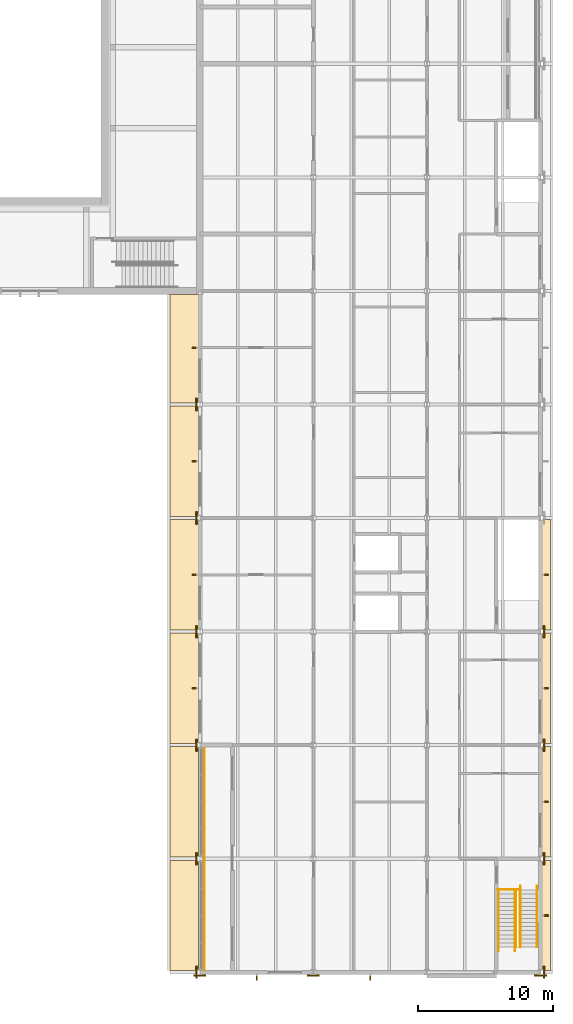
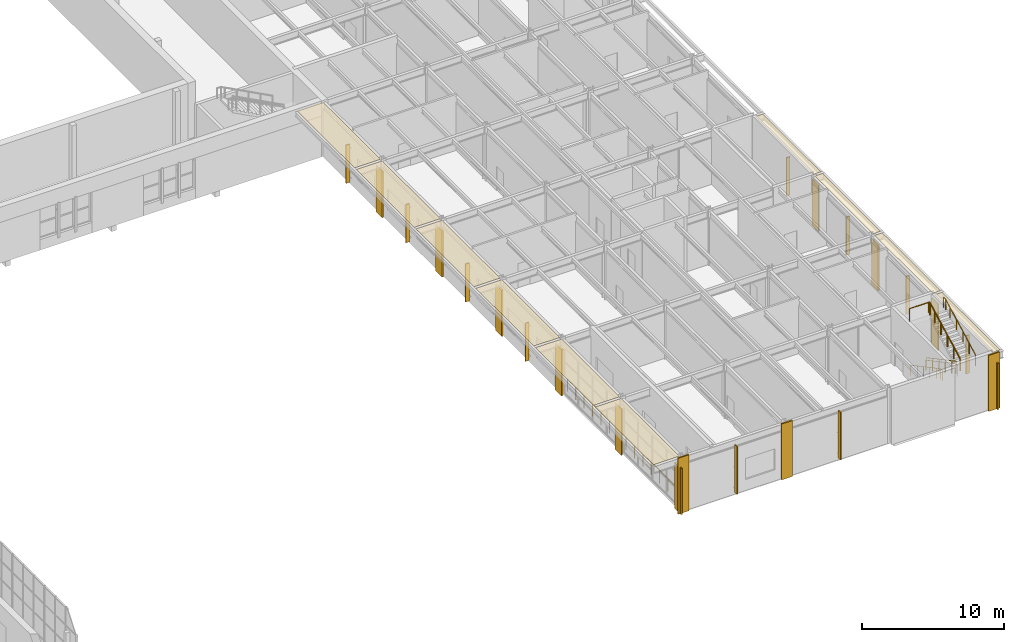
# One storey, part 105 of 116: 23 coverings, 10 shading devices, 8 railings.
"""IFC4 building model written with IfcOpenShell, lengths in metres."""

from ifc_helpers import new_model, si_unit, direction, frame, origin, origin_2d, place, context, subcontext, project, spatial, polyline, rectangle, circle, outline, extrude, material, layer, layer_set, type_object, element, save


model = new_model("IFC4")

# Units and contexts
model_context = context("Model", 3, precision=1e-05, world=origin(), true_north=direction((0.0, 1.0)))
body_context = subcontext(model_context, "Body", "Model", "MODEL_VIEW")
ifc_project = project(units=[si_unit("LENGTHUNIT", "METRE"), si_unit("AREAUNIT", "SQUARE_METRE"), si_unit("VOLUMEUNIT", "CUBIC_METRE"), si_unit("PLANEANGLEUNIT", "RADIAN"), si_unit("MASSUNIT", "GRAM", prefix="KILO")], contexts=[model_context])

# Site, building, storey
site_placement = place(None, origin())
site = spatial("IfcSite", under=ifc_project, at=site_placement, CompositionType="ELEMENT")
building_placement = place(site_placement, origin())
building = spatial("IfcBuilding", under=site, at=building_placement, Name="Ljudholm Concert House", CompositionType="ELEMENT")
storey_placement = place(building_placement, frame((0.0, 0.0, 10.199951171875)))
storey = spatial("IfcBuildingStorey", under=building, at=storey_placement, Name="L02", CompositionType="ELEMENT", Elevation=10.199951171875)

# Coverings
ifc_material_1 = material(Name="Aluminium extrusion with timber-grain PVDF finish", Category="aluminium")
ifc_layer_1 = layer(ifc_material_1, 0.030029296875)
ifc_layer_set_1 = layer_set([ifc_layer_1], Name="Aluminium extrusion with timber-grain PVDF finish")
covering_type_1 = type_object("IfcCoveringType", Name="ALUMINIUM EXTRUSION WITH TIMBER-GRAIN PVDF FINISH CEILING 30", PredefinedType="CEILING", material=ifc_layer_set_1)
covering_1_placement = place(storey_placement, frame((0.0, 0.0, 4.590087890625)))
element("IfcCovering", 1, at=covering_1_placement, inside=storey, type_object=covering_type_1, Name="Eave soffit", PredefinedType="CEILING", context=body_context, shape_type="SweptSolid", body=[
    extrude(outline(polyline([(94.177734375, 4.114501953125), (96.29541015625, 4.114501953125), (96.29541015625, 12.285400390625), (94.177734375, 12.285400390625), (94.177734375, 4.114501953125)])), origin(), (0.0, 0.0, 1.0), 0.030029296875),
])
covering_2_placement = place(storey_placement, frame((0.0, 0.0, 4.590087890625)))
element("IfcCovering", 2, at=covering_2_placement, inside=storey, type_object=covering_type_1, Name="Eave soffit", PredefinedType="CEILING", context=body_context, shape_type="SweptSolid", body=[
    extrude(outline(polyline([(94.177734375, 12.5146484375), (96.29541015625, 12.5146484375), (96.29541015625, 20.685546875), (94.177734375, 20.685546875), (94.177734375, 12.5146484375)])), origin(), (0.0, 0.0, 1.0), 0.030029296875),
])
covering_3_placement = place(storey_placement, frame((0.0, 0.0, 4.590087890625)))
element("IfcCovering", 3, at=covering_3_placement, inside=storey, type_object=covering_type_1, Name="Eave soffit", PredefinedType="CEILING", context=body_context, shape_type="SweptSolid", body=[
    extrude(outline(polyline([(94.177734375, 20.91455078125), (96.29541015625, 20.91455078125), (96.29541015625, 29.08544921875), (94.177734375, 29.08544921875), (94.177734375, 20.91455078125)])), origin(), (0.0, 0.0, 1.0), 0.030029296875),
])
covering_4_placement = place(storey_placement, frame((0.0, 0.0, 4.590087890625)))
element("IfcCovering", 4, at=covering_4_placement, inside=storey, type_object=covering_type_1, Name="Eave soffit", PredefinedType="CEILING", context=body_context, shape_type="SweptSolid", body=[
    extrude(outline(polyline([(94.177734375, 29.314453125), (96.29541015625, 29.314453125), (96.29541015625, 37.4853515625), (94.177734375, 37.4853515625), (94.177734375, 29.314453125)])), origin(), (0.0, 0.0, 1.0), 0.030029296875),
])
covering_5_placement = place(storey_placement, frame((0.0, 0.0, 4.590087890625)))
element("IfcCovering", 5, at=covering_5_placement, inside=storey, type_object=covering_type_1, Name="Eave soffit", PredefinedType="CEILING", context=body_context, shape_type="SweptSolid", body=[
    extrude(outline(polyline([(94.177734375, 37.714599609375), (96.29541015625, 37.714599609375), (96.29541015625, 45.885498046875), (94.177734375, 45.885498046875), (94.177734375, 37.714599609375)])), origin(), (0.0, 0.0, 1.0), 0.030029296875),
])
covering_6_placement = place(storey_placement, frame((0.0, 0.0, 4.590087890625)))
element("IfcCovering", 6, at=covering_6_placement, inside=storey, type_object=covering_type_1, Name="Eave soffit", PredefinedType="CEILING", context=body_context, shape_type="SweptSolid", body=[
    extrude(outline(polyline([(94.177734375, 46.114501953125), (96.29541015625, 46.114501953125), (96.29541015625, 54.14990234375), (94.177734375, 54.14990234375), (94.177734375, 46.114501953125)])), origin(), (0.0, 0.0, 1.0), 0.030029296875),
])
covering_7_placement = place(storey_placement, frame((0.0, 0.0, 4.590087890625)))
element("IfcCovering", 7, at=covering_7_placement, inside=storey, type_object=covering_type_1, Name="Eave soffit", PredefinedType="CEILING", context=body_context, shape_type="SweptSolid", body=[
    extrude(outline(polyline([(121.70458984375, 4.114501953125), (122.322265625, 4.114501953125), (122.322265625, 12.285400390625), (121.70458984375, 12.285400390625), (121.70458984375, 4.114501953125)])), origin(), (0.0, 0.0, 1.0), 0.030029296875),
])
covering_8_placement = place(storey_placement, frame((0.0, 0.0, 4.590087890625)))
element("IfcCovering", 8, at=covering_8_placement, inside=storey, type_object=covering_type_1, Name="Eave soffit", PredefinedType="CEILING", context=body_context, shape_type="SweptSolid", body=[
    extrude(outline(polyline([(121.70458984375, 12.5146484375), (122.322265625, 12.5146484375), (122.322265625, 20.685546875), (121.70458984375, 20.685546875), (121.70458984375, 12.5146484375)])), origin(), (0.0, 0.0, 1.0), 0.030029296875),
])
covering_9_placement = place(storey_placement, frame((0.0, 0.0, 4.590087890625)))
element("IfcCovering", 9, at=covering_9_placement, inside=storey, type_object=covering_type_1, Name="Eave soffit", PredefinedType="CEILING", context=body_context, shape_type="SweptSolid", body=[
    extrude(outline(polyline([(121.70458984375, 20.91455078125), (122.322265625, 20.91455078125), (122.322265625, 29.08544921875), (121.70458984375, 29.08544921875), (121.70458984375, 20.91455078125)])), origin(), (0.0, 0.0, 1.0), 0.030029296875),
])
covering_10_placement = place(storey_placement, frame((0.0, 0.0, 4.590087890625)))
element("IfcCovering", 10, at=covering_10_placement, inside=storey, type_object=covering_type_1, Name="Eave soffit", PredefinedType="CEILING", context=body_context, shape_type="SweptSolid", body=[
    extrude(outline(polyline([(121.70458984375, 29.314453125), (122.322265625, 29.314453125), (122.322265625, 37.4853515625), (121.70458984375, 37.4853515625), (121.70458984375, 29.314453125)])), origin(), (0.0, 0.0, 1.0), 0.030029296875),
])

# Shading devices
ifc_material_2 = material(Name="Aluminium extrusion with timber-grain PVDF finish", Category="aluminium")
shading_device_type = type_object("IfcShadingDeviceType", Name="FACADE FIN 300x80", PredefinedType="SHUTTER", material=ifc_material_2)
for number, where, z_axis, x_axis, name in (
    (11, (122.02001953125, 8.199951171875, 0.25), (0.0, 0.0, 1.0), (1.0, 0.0, 0.0), "Facade fin"),
    (12, (122.02001953125, 16.60009765625, 0.25), (0.0, 0.0, 1.0), (1.0, 0.0, 0.0), "Facade fin"),
    (13, (122.02001953125, 25.0, 0.25), (0.0, 0.0, 1.0), (1.0, 0.0, 0.0), "Facade fin"),
    (14, (122.02001953125, 33.39990234375, 0.25), (0.0, 0.0, 1.0), (1.0, 0.0, 0.0), "Facade fin"),
):
    element("IfcShadingDevice", number, at=place(storey_placement, frame(where, z_axis=z_axis, x_axis=x_axis)), inside=storey, type_object=shading_device_type, Name=name, PredefinedType="SHUTTER", context=body_context, shape_type="SweptSolid", body=[
        extrude(rectangle(XDim=0.300048828125, YDim=0.080078125, at=origin_2d()), origin(), (0.0, 0.0, 1.0), 3.27001953125),
    ])
for number, where, z_axis, x_axis, name in (
    (15, (100.60009765625, 3.580078125, 0.25), (0.0, 0.0, 1.0), (0.0, -1.0, 0.0), "Facade fin"),
    (16, (109.0, 3.580078125, 0.25), (0.0, 0.0, 1.0), (0.0, -1.0, 0.0), "Facade fin"),
):
    element("IfcShadingDevice", number, at=place(storey_placement, frame(where, z_axis=z_axis, x_axis=x_axis)), inside=storey, type_object=shading_device_type, Name=name, PredefinedType="SHUTTER", context=body_context, shape_type="SweptSolid", body=[
        extrude(rectangle(XDim=0.300048828125, YDim=0.080078125, at=origin_2d()), origin(), (0.0, 0.0, 1.0), 4.10009765625),
    ])
for number, where, z_axis, x_axis, name in (
    (17, (95.97998046875, 25.0, 0.25), (0.0, 0.0, 1.0), (-1.0, 0.0, 0.0), "Facade fin"),
    (18, (95.97998046875, 33.39990234375, 0.25), (0.0, 0.0, 1.0), (-1.0, 0.0, 0.0), "Facade fin"),
    (19, (95.97998046875, 41.800048828125, 0.25), (0.0, 0.0, 1.0), (-1.0, 0.0, 0.0), "Facade fin"),
    (20, (95.97998046875, 50.199951171875, 0.25), (0.0, 0.0, 1.0), (-1.0, 0.0, 0.0), "Facade fin"),
):
    element("IfcShadingDevice", number, at=place(storey_placement, frame(where, z_axis=z_axis, x_axis=x_axis)), inside=storey, type_object=shading_device_type, Name=name, PredefinedType="SHUTTER", context=body_context, shape_type="SweptSolid", body=[
        extrude(rectangle(XDim=0.300048828125, YDim=0.080078125, at=origin_2d()), origin(), (0.0, 0.0, 1.0), 3.27001953125),
    ])

# Railings
ifc_material_3 = material(Name="Steel ASTM A36", Category="steel")
railing_type_1 = type_object("IfcRailingType", Name="GUARD 1100", PredefinedType="GUARDRAIL", material=ifc_material_3)
railing_1_placement = place(storey_placement, frame((119.77490234375, 10.074951171875, 0.16015625)))
element("IfcRailing", 21, at=railing_1_placement, inside=storey, type_object=railing_type_1, Name="Guard", PredefinedType="GUARDRAIL", context=body_context, shape_type="SweptSolid", body=[
    extrude(circle(Radius=0.02490234375, at=origin_2d()), frame((0.0, 0.0, 1.0751953125), z_axis=(0.0, -0.88233968818, 0.47061308382), x_axis=(1.0, 0.0, 0.0)), (0.0, 0.0, 1.0), 1.02001953125),
    extrude(circle(Radius=0.02490234375, at=origin_2d()), frame((0.0, -0.89990234375, 1.55517578125), z_axis=(0.0, -0.882392687573, 0.470513703219), x_axis=(1.0, 0.0, 0.0)), (0.0, 0.0, 1.0), 1.02001953125),
    extrude(circle(Radius=0.02490234375, at=origin_2d()), frame((0.0, -1.800048828125, 2.03515625), z_axis=(0.0, -0.88233968818, 0.47061308382), x_axis=(1.0, 0.0, 0.0)), (0.0, 0.0, 1.0), 1.02001953125),
    extrude(circle(Radius=0.02490234375, at=origin_2d()), frame((0.0, -2.699951171875, 2.51513671875), z_axis=(0.0, -0.88233968818, 0.47061308382), x_axis=(1.0, 0.0, 0.0)), (0.0, 0.0, 1.0), 1.02001953125),
    extrude(circle(Radius=0.02490234375, at=origin_2d()), frame((0.0, -3.599853515625, 2.9951171875), z_axis=(0.0, -0.882343004153, 0.470606866739), x_axis=(1.0, 0.0, 0.0)), (0.0, 0.0, 1.0), 0.68017578125),
    extrude(circle(Radius=0.02099609375, at=origin_2d()), origin(), (0.0, 0.0, 1.0), 1.050048828125),
    extrude(circle(Radius=0.02099609375, at=origin_2d()), frame((0.0, -0.89990234375, 0.47998046875)), (0.0, 0.0, 1.0), 1.050048828125),
    extrude(circle(Radius=0.02099609375, at=origin_2d()), frame((0.0, -1.800048828125, 0.9599609375)), (0.0, 0.0, 1.0), 1.050048828125),
    extrude(circle(Radius=0.02099609375, at=origin_2d()), frame((0.0, -2.699951171875, 1.43994140625)), (0.0, 0.0, 1.0), 1.050048828125),
    extrude(circle(Radius=0.02099609375, at=origin_2d()), frame((0.0, -3.599853515625, 1.919921875)), (0.0, 0.0, 1.0), 1.050048828125),
    extrude(circle(Radius=0.02099609375, at=origin_2d()), frame((0.0, -4.199951171875, 2.239990234375)), (0.0, 0.0, 1.0), 1.050048828125),
])
railing_2_placement = place(storey_placement, frame((120.074951171875, 5.875, 2.56005859375)))
element("IfcRailing", 22, at=railing_2_placement, inside=storey, type_object=railing_type_1, Name="Guard", PredefinedType="GUARDRAIL", context=body_context, shape_type="SweptSolid", body=[
    extrude(circle(Radius=0.02490234375, at=origin_2d()), frame((0.0, 0.0, 1.0751953125), z_axis=(0.0, 0.88233968818, 0.47061308382), x_axis=(-1.0, 0.0, 0.0)), (0.0, 0.0, 1.0), 1.02001953125),
    extrude(circle(Radius=0.02490234375, at=origin_2d()), frame((0.0, 0.89990234375, 1.55517578125), z_axis=(0.0, 0.882392687573, 0.470513703219), x_axis=(-1.0, 0.0, 0.0)), (0.0, 0.0, 1.0), 1.02001953125),
    extrude(circle(Radius=0.02490234375, at=origin_2d()), frame((0.0, 1.800048828125, 2.03515625), z_axis=(0.0, 0.88233968818, 0.47061308382), x_axis=(-1.0, 0.0, 0.0)), (0.0, 0.0, 1.0), 1.02001953125),
    extrude(circle(Radius=0.02490234375, at=origin_2d()), frame((0.0, 2.699951171875, 2.51513671875), z_axis=(0.0, 0.882392687573, 0.470513703219), x_axis=(-1.0, 0.0, 0.0)), (0.0, 0.0, 1.0), 1.02001953125),
    extrude(circle(Radius=0.02490234375, at=origin_2d()), frame((0.0, 3.60009765625, 2.9951171875), z_axis=(0.0, 0.88226346546, 0.470755963866), x_axis=(-1.0, 0.0, 0.0)), (0.0, 0.0, 1.0), 0.679931640625),
    extrude(circle(Radius=0.02099609375, at=origin_2d()), origin(), (0.0, 0.0, 1.0), 1.050048828125),
    extrude(circle(Radius=0.02099609375, at=origin_2d()), frame((0.0, 0.89990234375, 0.47998046875)), (0.0, 0.0, 1.0), 1.050048828125),
    extrude(circle(Radius=0.02099609375, at=origin_2d()), frame((0.0, 1.800048828125, 0.9599609375)), (0.0, 0.0, 1.0), 1.050048828125),
    extrude(circle(Radius=0.02099609375, at=origin_2d()), frame((0.0, 2.699951171875, 1.43994140625)), (0.0, 0.0, 1.0), 1.050048828125),
    extrude(circle(Radius=0.02099609375, at=origin_2d()), frame((0.0, 3.60009765625, 1.919921875)), (0.0, 0.0, 1.0), 1.050048828125),
    extrude(circle(Radius=0.02099609375, at=origin_2d()), frame((0.0, 4.199951171875, 2.239990234375)), (0.0, 0.0, 1.0), 1.050048828125),
])
railing_3_placement = place(storey_placement, frame((118.449951171875, 10.125, 4.800048828125)))
element("IfcRailing", 23, at=railing_3_placement, inside=storey, type_object=railing_type_1, Name="Guard", PredefinedType="GUARDRAIL", context=body_context, shape_type="SweptSolid", body=[
    extrude(circle(Radius=0.02490234375, at=origin_2d()), frame((0.0, 0.0, 1.0751953125), z_axis=(1.0, 0.0, 0.0), x_axis=(0.0, 1.0, 0.0)), (0.0, 0.0, 1.0), 1.60009765625),
    extrude(circle(Radius=0.02099609375, at=origin_2d()), origin(), (0.0, 0.0, 1.0), 1.050048828125),
    extrude(circle(Radius=0.02099609375, at=origin_2d()), frame((1.60009765625, 0.0, 0.0)), (0.0, 0.0, 1.0), 1.050048828125),
])
ifc_material_4 = material(Name="Steel ASTM A36", Category="steel")
railing_type_2 = type_object("IfcRailingType", Name="GUARD 1100 EXTERNAL", PredefinedType="GUARDRAIL", material=ifc_material_4)
railing_4_placement = place(storey_placement, frame((96.75, 4.14990234375, 0.0)))
element("IfcRailing", 24, at=railing_4_placement, inside=storey, type_object=railing_type_2, Name="Loggia guard", PredefinedType="GUARDRAIL", context=body_context, shape_type="SweptSolid", body=[
    extrude(circle(Radius=0.02490234375, at=origin_2d()), frame((0.0, 0.0, 1.0751953125), z_axis=(0.0, 1.0, 0.0), x_axis=(-1.0, 0.0, 0.0)), (0.0, 0.0, 1.0), 16.5),
    extrude(circle(Radius=0.02099609375, at=origin_2d()), origin(), (0.0, 0.0, 1.0), 1.050048828125),
    extrude(circle(Radius=0.02099609375, at=origin_2d()), frame((0.0, 1.178466796875, 0.0)), (0.0, 0.0, 1.0), 1.050048828125),
    extrude(circle(Radius=0.02099609375, at=origin_2d()), frame((0.0, 2.357177734375, 0.0)), (0.0, 0.0, 1.0), 1.050048828125),
    extrude(circle(Radius=0.02099609375, at=origin_2d()), frame((0.0, 3.53564453125, 0.0)), (0.0, 0.0, 1.0), 1.050048828125),
    extrude(circle(Radius=0.02099609375, at=origin_2d()), frame((0.0, 4.71435546875, 0.0)), (0.0, 0.0, 1.0), 1.050048828125),
    extrude(circle(Radius=0.02099609375, at=origin_2d()), frame((0.0, 5.892822265625, 0.0)), (0.0, 0.0, 1.0), 1.050048828125),
    extrude(circle(Radius=0.02099609375, at=origin_2d()), frame((0.0, 7.071533203125, 0.0)), (0.0, 0.0, 1.0), 1.050048828125),
    extrude(circle(Radius=0.02099609375, at=origin_2d()), frame((0.0, 8.25, 0.0)), (0.0, 0.0, 1.0), 1.050048828125),
    extrude(circle(Radius=0.02099609375, at=origin_2d()), frame((0.0, 9.428466796875, 0.0)), (0.0, 0.0, 1.0), 1.050048828125),
    extrude(circle(Radius=0.02099609375, at=origin_2d()), frame((0.0, 10.607177734375, 0.0)), (0.0, 0.0, 1.0), 1.050048828125),
    extrude(circle(Radius=0.02099609375, at=origin_2d()), frame((0.0, 11.78564453125, 0.0)), (0.0, 0.0, 1.0), 1.050048828125),
    extrude(circle(Radius=0.02099609375, at=origin_2d()), frame((0.0, 12.96435546875, 0.0)), (0.0, 0.0, 1.0), 1.050048828125),
    extrude(circle(Radius=0.02099609375, at=origin_2d()), frame((0.0, 14.142822265625, 0.0)), (0.0, 0.0, 1.0), 1.050048828125),
    extrude(circle(Radius=0.02099609375, at=origin_2d()), frame((0.0, 15.321533203125, 0.0)), (0.0, 0.0, 1.0), 1.050048828125),
    extrude(circle(Radius=0.02099609375, at=origin_2d()), frame((0.0, 16.5, 0.0)), (0.0, 0.0, 1.0), 1.050048828125),
])
ifc_material_5 = material(Name="Steel ASTM A36", Category="steel")
railing_type_3 = type_object("IfcRailingType", Name="HANDRAIL 900", PredefinedType="HANDRAIL", material=ifc_material_5)
railing_5_placement = place(storey_placement, frame((119.72509765625, 10.074951171875, 0.16015625)))
element("IfcRailing", 25, at=railing_5_placement, inside=storey, type_object=railing_type_3, Name="Handrail", PredefinedType="HANDRAIL", context=body_context, shape_type="SweptSolid", body=[
    extrude(circle(Radius=0.0224609375, at=origin_2d()), frame((0.0, 0.0, 0.87744140625), z_axis=(0.0, -0.88233968818, 0.47061308382), x_axis=(1.0, 0.0, 0.0)), (0.0, 0.0, 1.0), 1.02001953125),
    extrude(circle(Radius=0.0224609375, at=origin_2d()), frame((0.0, -0.89990234375, 1.357421875), z_axis=(0.0, -0.882392687573, 0.470513703219), x_axis=(1.0, 0.0, 0.0)), (0.0, 0.0, 1.0), 1.02001953125),
    extrude(circle(Radius=0.0224609375, at=origin_2d()), frame((0.0, -1.800048828125, 1.83740234375), z_axis=(0.0, -0.88233968818, 0.47061308382), x_axis=(1.0, 0.0, 0.0)), (0.0, 0.0, 1.0), 1.02001953125),
    extrude(circle(Radius=0.0224609375, at=origin_2d()), frame((0.0, -2.699951171875, 2.3173828125), z_axis=(0.0, -0.88233968818, 0.47061308382), x_axis=(1.0, 0.0, 0.0)), (0.0, 0.0, 1.0), 1.02001953125),
    extrude(circle(Radius=0.0224609375, at=origin_2d()), frame((0.0, -3.599853515625, 2.79736328125), z_axis=(0.0, -0.882343004153, 0.470606866739), x_axis=(1.0, 0.0, 0.0)), (0.0, 0.0, 1.0), 0.68017578125),
    extrude(circle(Radius=0.0224609375, at=origin_2d()), frame((0.0, -4.199951171875, 3.117431640625), z_axis=(0.0, -1.0, 0.0), x_axis=(1.0, 0.0, 0.0)), (0.0, 0.0, 1.0), 0.300048828125),
    extrude(circle(Radius=0.02099609375, at=origin_2d()), origin(), (0.0, 0.0, 1.0), 0.85498046875),
    extrude(circle(Radius=0.02099609375, at=origin_2d()), frame((0.0, -0.89990234375, 0.47998046875)), (0.0, 0.0, 1.0), 0.85498046875),
    extrude(circle(Radius=0.02099609375, at=origin_2d()), frame((0.0, -1.800048828125, 0.9599609375)), (0.0, 0.0, 1.0), 0.85498046875),
    extrude(circle(Radius=0.02099609375, at=origin_2d()), frame((0.0, -2.699951171875, 1.43994140625)), (0.0, 0.0, 1.0), 0.85498046875),
    extrude(circle(Radius=0.02099609375, at=origin_2d()), frame((0.0, -3.599853515625, 1.919921875)), (0.0, 0.0, 1.0), 0.85498046875),
    extrude(circle(Radius=0.02099609375, at=origin_2d()), frame((0.0, -4.199951171875, 2.239990234375)), (0.0, 0.0, 1.0), 0.85498046875),
    extrude(circle(Radius=0.02099609375, at=origin_2d()), frame((0.0, -4.5, 2.239990234375)), (0.0, 0.0, 1.0), 0.85498046875),
])
railing_6_placement = place(storey_placement, frame((118.5, 10.074951171875, 0.16015625)))
element("IfcRailing", 26, at=railing_6_placement, inside=storey, type_object=railing_type_3, Name="Handrail", PredefinedType="HANDRAIL", context=body_context, shape_type="SweptSolid", body=[
    extrude(circle(Radius=0.0224609375, at=origin_2d()), frame((0.0, 0.0, 0.87744140625), z_axis=(0.0, -0.88233968818, 0.47061308382), x_axis=(1.0, 0.0, 0.0)), (0.0, 0.0, 1.0), 1.02001953125),
    extrude(circle(Radius=0.0224609375, at=origin_2d()), frame((0.0, -0.89990234375, 1.357421875), z_axis=(0.0, -0.882392687573, 0.470513703219), x_axis=(1.0, 0.0, 0.0)), (0.0, 0.0, 1.0), 1.02001953125),
    extrude(circle(Radius=0.0224609375, at=origin_2d()), frame((0.0, -1.800048828125, 1.83740234375), z_axis=(0.0, -0.88233968818, 0.47061308382), x_axis=(1.0, 0.0, 0.0)), (0.0, 0.0, 1.0), 1.02001953125),
    extrude(circle(Radius=0.0224609375, at=origin_2d()), frame((0.0, -2.699951171875, 2.3173828125), z_axis=(0.0, -0.88233968818, 0.47061308382), x_axis=(1.0, 0.0, 0.0)), (0.0, 0.0, 1.0), 1.02001953125),
    extrude(circle(Radius=0.0224609375, at=origin_2d()), frame((0.0, -3.599853515625, 2.79736328125), z_axis=(0.0, -0.882343004153, 0.470606866739), x_axis=(1.0, 0.0, 0.0)), (0.0, 0.0, 1.0), 0.68017578125),
    extrude(circle(Radius=0.0224609375, at=origin_2d()), frame((0.0, -4.199951171875, 3.117431640625), z_axis=(0.0, -1.0, 0.0), x_axis=(1.0, 0.0, 0.0)), (0.0, 0.0, 1.0), 0.300048828125),
    extrude(circle(Radius=0.02099609375, at=origin_2d()), origin(), (0.0, 0.0, 1.0), 0.85498046875),
    extrude(circle(Radius=0.02099609375, at=origin_2d()), frame((0.0, -0.89990234375, 0.47998046875)), (0.0, 0.0, 1.0), 0.85498046875),
    extrude(circle(Radius=0.02099609375, at=origin_2d()), frame((0.0, -1.800048828125, 0.9599609375)), (0.0, 0.0, 1.0), 0.85498046875),
    extrude(circle(Radius=0.02099609375, at=origin_2d()), frame((0.0, -2.699951171875, 1.43994140625)), (0.0, 0.0, 1.0), 0.85498046875),
    extrude(circle(Radius=0.02099609375, at=origin_2d()), frame((0.0, -3.599853515625, 1.919921875)), (0.0, 0.0, 1.0), 0.85498046875),
    extrude(circle(Radius=0.02099609375, at=origin_2d()), frame((0.0, -4.199951171875, 2.239990234375)), (0.0, 0.0, 1.0), 0.85498046875),
    extrude(circle(Radius=0.02099609375, at=origin_2d()), frame((0.0, -4.5, 2.239990234375)), (0.0, 0.0, 1.0), 0.85498046875),
])
railing_7_placement = place(storey_placement, frame((120.125, 5.875, 2.56005859375)))
element("IfcRailing", 27, at=railing_7_placement, inside=storey, type_object=railing_type_3, Name="Handrail", PredefinedType="HANDRAIL", context=body_context, shape_type="SweptSolid", body=[
    extrude(circle(Radius=0.0224609375, at=origin_2d()), frame((0.0, 0.0, 0.87744140625), z_axis=(0.0, 0.88233968818, 0.47061308382), x_axis=(-1.0, 0.0, 0.0)), (0.0, 0.0, 1.0), 1.02001953125),
    extrude(circle(Radius=0.0224609375, at=origin_2d()), frame((0.0, 0.89990234375, 1.357421875), z_axis=(0.0, 0.882392687573, 0.470513703219), x_axis=(-1.0, 0.0, 0.0)), (0.0, 0.0, 1.0), 1.02001953125),
    extrude(circle(Radius=0.0224609375, at=origin_2d()), frame((0.0, 1.800048828125, 1.83740234375), z_axis=(0.0, 0.88233968818, 0.47061308382), x_axis=(-1.0, 0.0, 0.0)), (0.0, 0.0, 1.0), 1.02001953125),
    extrude(circle(Radius=0.0224609375, at=origin_2d()), frame((0.0, 2.699951171875, 2.3173828125), z_axis=(0.0, 0.882392687573, 0.470513703219), x_axis=(-1.0, 0.0, 0.0)), (0.0, 0.0, 1.0), 1.02001953125),
    extrude(circle(Radius=0.0224609375, at=origin_2d()), frame((0.0, 3.60009765625, 2.79736328125), z_axis=(0.0, 0.88226346546, 0.470755963866), x_axis=(-1.0, 0.0, 0.0)), (0.0, 0.0, 1.0), 0.679931640625),
    extrude(circle(Radius=0.0224609375, at=origin_2d()), frame((0.0, 4.199951171875, 3.117431640625), z_axis=(0.0, 1.0, 0.0), x_axis=(-1.0, 0.0, 0.0)), (0.0, 0.0, 1.0), 0.300048828125),
    extrude(circle(Radius=0.02099609375, at=origin_2d()), origin(), (0.0, 0.0, 1.0), 0.85498046875),
    extrude(circle(Radius=0.02099609375, at=origin_2d()), frame((0.0, 0.89990234375, 0.47998046875)), (0.0, 0.0, 1.0), 0.85498046875),
    extrude(circle(Radius=0.02099609375, at=origin_2d()), frame((0.0, 1.800048828125, 0.9599609375)), (0.0, 0.0, 1.0), 0.85498046875),
    extrude(circle(Radius=0.02099609375, at=origin_2d()), frame((0.0, 2.699951171875, 1.43994140625)), (0.0, 0.0, 1.0), 0.85498046875),
    extrude(circle(Radius=0.02099609375, at=origin_2d()), frame((0.0, 3.60009765625, 1.919921875)), (0.0, 0.0, 1.0), 0.85498046875),
    extrude(circle(Radius=0.02099609375, at=origin_2d()), frame((0.0, 4.199951171875, 2.239990234375)), (0.0, 0.0, 1.0), 0.85498046875),
    extrude(circle(Radius=0.02099609375, at=origin_2d()), frame((0.0, 4.5, 2.239990234375)), (0.0, 0.0, 1.0), 0.85498046875),
])
railing_8_placement = place(storey_placement, frame((121.35009765625, 5.875, 2.56005859375)))
element("IfcRailing", 28, at=railing_8_placement, inside=storey, type_object=railing_type_3, Name="Handrail", PredefinedType="HANDRAIL", context=body_context, shape_type="SweptSolid", body=[
    extrude(circle(Radius=0.0224609375, at=origin_2d()), frame((0.0, 0.0, 0.87744140625), z_axis=(0.0, 0.88233968818, 0.47061308382), x_axis=(-1.0, 0.0, 0.0)), (0.0, 0.0, 1.0), 1.02001953125),
    extrude(circle(Radius=0.0224609375, at=origin_2d()), frame((0.0, 0.89990234375, 1.357421875), z_axis=(0.0, 0.882392687573, 0.470513703219), x_axis=(-1.0, 0.0, 0.0)), (0.0, 0.0, 1.0), 1.02001953125),
    extrude(circle(Radius=0.0224609375, at=origin_2d()), frame((0.0, 1.800048828125, 1.83740234375), z_axis=(0.0, 0.88233968818, 0.47061308382), x_axis=(-1.0, 0.0, 0.0)), (0.0, 0.0, 1.0), 1.02001953125),
    extrude(circle(Radius=0.0224609375, at=origin_2d()), frame((0.0, 2.699951171875, 2.3173828125), z_axis=(0.0, 0.882392687573, 0.470513703219), x_axis=(-1.0, 0.0, 0.0)), (0.0, 0.0, 1.0), 1.02001953125),
    extrude(circle(Radius=0.0224609375, at=origin_2d()), frame((0.0, 3.60009765625, 2.79736328125), z_axis=(0.0, 0.88226346546, 0.470755963866), x_axis=(-1.0, 0.0, 0.0)), (0.0, 0.0, 1.0), 0.679931640625),
    extrude(circle(Radius=0.0224609375, at=origin_2d()), frame((0.0, 4.199951171875, 3.117431640625), z_axis=(0.0, 1.0, 0.0), x_axis=(-1.0, 0.0, 0.0)), (0.0, 0.0, 1.0), 0.300048828125),
    extrude(circle(Radius=0.02099609375, at=origin_2d()), origin(), (0.0, 0.0, 1.0), 0.85498046875),
    extrude(circle(Radius=0.02099609375, at=origin_2d()), frame((0.0, 0.89990234375, 0.47998046875)), (0.0, 0.0, 1.0), 0.85498046875),
    extrude(circle(Radius=0.02099609375, at=origin_2d()), frame((0.0, 1.800048828125, 0.9599609375)), (0.0, 0.0, 1.0), 0.85498046875),
    extrude(circle(Radius=0.02099609375, at=origin_2d()), frame((0.0, 2.699951171875, 1.43994140625)), (0.0, 0.0, 1.0), 0.85498046875),
    extrude(circle(Radius=0.02099609375, at=origin_2d()), frame((0.0, 3.60009765625, 1.919921875)), (0.0, 0.0, 1.0), 0.85498046875),
    extrude(circle(Radius=0.02099609375, at=origin_2d()), frame((0.0, 4.199951171875, 2.239990234375)), (0.0, 0.0, 1.0), 0.85498046875),
    extrude(circle(Radius=0.02099609375, at=origin_2d()), frame((0.0, 4.5, 2.239990234375)), (0.0, 0.0, 1.0), 0.85498046875),
])

# Coverings
ifc_material_6 = material(Name="Precast concrete, limestone aggregate", Category="masonry")
ifc_layer_2 = layer(ifc_material_6, 0.110107421875)
ifc_layer_set_2 = layer_set([ifc_layer_2], Name="Precast concrete, limestone aggregate")
covering_type_2 = type_object("IfcCoveringType", Name="PRECAST CONCRETE, LIMESTONE AGGREGATE CLADDING 110", PredefinedType="CLADDING", material=ifc_layer_set_2)
for number, where, z_axis, x_axis, name in (
    (29, (121.844970703125, 4.0, 0.0), (0.0, 0.0, 1.0), (1.0, 0.0, 0.0), "Pilaster cladding"),
    (30, (121.844970703125, 12.39990234375, 0.0), (0.0, 0.0, 1.0), (1.0, 0.0, 0.0), "Pilaster cladding"),
    (31, (121.844970703125, 20.800048828125, 0.0), (0.0, 0.0, 1.0), (1.0, 0.0, 0.0), "Pilaster cladding"),
    (32, (121.844970703125, 29.199951171875, 0.0), (0.0, 0.0, 1.0), (1.0, 0.0, 0.0), "Pilaster cladding"),
):
    element("IfcCovering", number, at=place(storey_placement, frame(where, z_axis=z_axis, x_axis=x_axis)), inside=storey, type_object=covering_type_2, Name=name, PredefinedType="CLADDING", context=body_context, shape_type="SweptSolid", body=[
        extrude(rectangle(XDim=0.110107421875, YDim=0.89990234375, at=origin_2d()), origin(), (0.0, 0.0, 1.0), 3.969970703125),
    ])
for number, where, z_axis, x_axis, name in (
    (33, (96.39990234375, 3.7548828125, 0.0), (0.0, 0.0, 1.0), (0.0, -1.0, 0.0), "Pilaster cladding"),
    (34, (104.800048828125, 3.7548828125, 0.0), (0.0, 0.0, 1.0), (0.0, -1.0, 0.0), "Pilaster cladding"),
    (35, (121.60009765625, 3.7548828125, 0.0), (0.0, 0.0, 1.0), (0.0, -1.0, 0.0), "Pilaster cladding"),
):
    element("IfcCovering", number, at=place(storey_placement, frame(where, z_axis=z_axis, x_axis=x_axis)), inside=storey, type_object=covering_type_2, Name=name, PredefinedType="CLADDING", context=body_context, shape_type="SweptSolid", body=[
        extrude(rectangle(XDim=0.110107421875, YDim=0.89990234375, at=origin_2d()), origin(), (0.0, 0.0, 1.0), 4.800048828125),
    ])
for number, where, z_axis, x_axis, name in (
    (36, (96.155029296875, 4.0, 0.0), (0.0, 0.0, 1.0), (-1.0, 0.0, 0.0), "Pilaster cladding"),
    (37, (96.155029296875, 12.39990234375, 0.0), (0.0, 0.0, 1.0), (-1.0, 0.0, 0.0), "Pilaster cladding"),
    (38, (96.155029296875, 20.800048828125, 0.0), (0.0, 0.0, 1.0), (-1.0, 0.0, 0.0), "Pilaster cladding"),
    (39, (96.155029296875, 29.199951171875, 0.0), (0.0, 0.0, 1.0), (-1.0, 0.0, 0.0), "Pilaster cladding"),
    (40, (96.155029296875, 37.60009765625, 0.0), (0.0, 0.0, 1.0), (-1.0, 0.0, 0.0), "Pilaster cladding"),
    (41, (96.155029296875, 46.0, 0.0), (0.0, 0.0, 1.0), (-1.0, 0.0, 0.0), "Pilaster cladding"),
):
    element("IfcCovering", number, at=place(storey_placement, frame(where, z_axis=z_axis, x_axis=x_axis)), inside=storey, type_object=covering_type_2, Name=name, PredefinedType="CLADDING", context=body_context, shape_type="SweptSolid", body=[
        extrude(rectangle(XDim=0.110107421875, YDim=0.89990234375, at=origin_2d()), origin(), (0.0, 0.0, 1.0), 3.969970703125),
    ])

save(model, "model.ifc")
